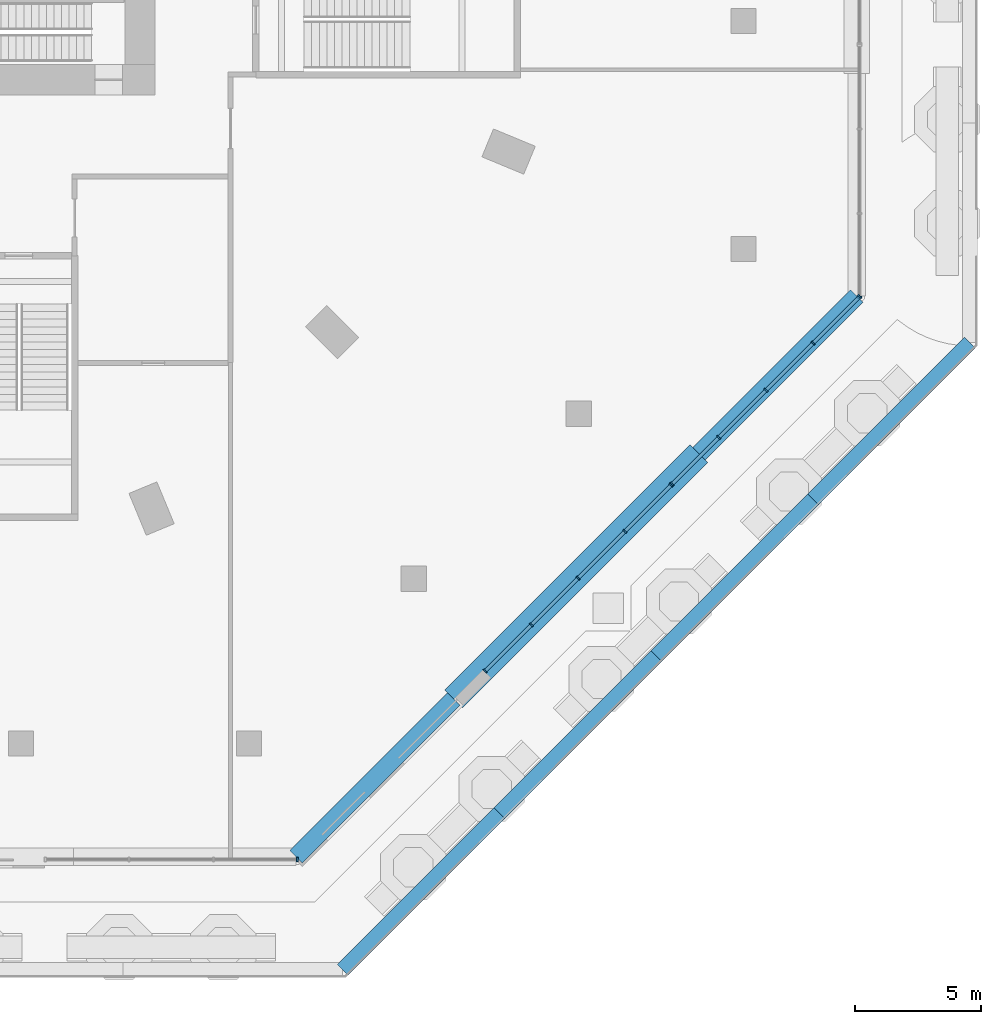
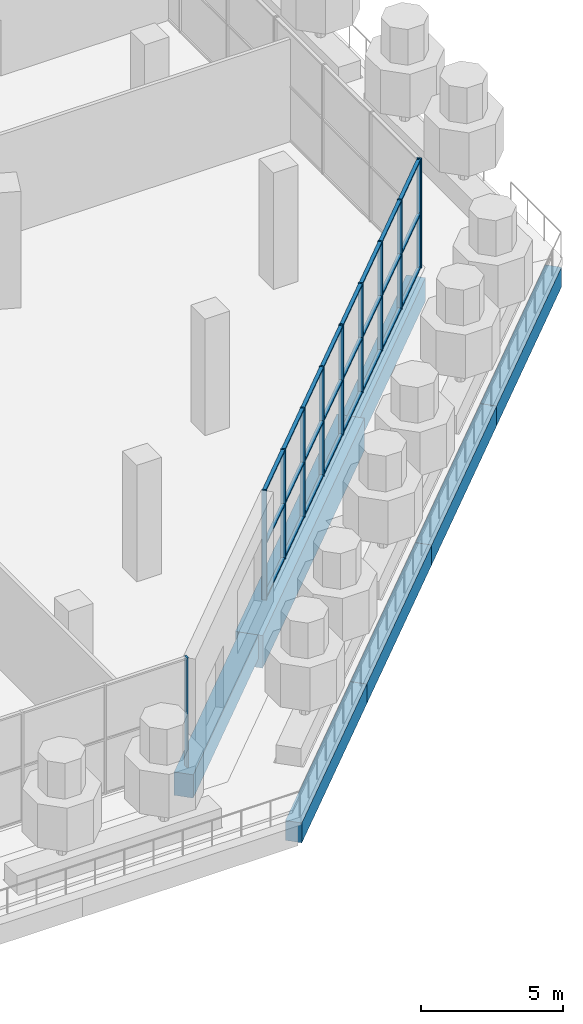
# One storey, part 9 of 32: 36 members, 7 beams, 4 elements without a shape of their own.
"""IFC4 building model written with IfcOpenShell, lengths in metres."""

import ifcopenshell
import ifcopenshell.guid

model = None  # the IFC model being written
_history = None  # IfcOwnerHistory: only IFC2X3 demands one
_inside = {}  # id of a spatial element -> (the spatial element, [elements in it])
_under = {}  # id of a project, library or spatial element -> (it, [spatial elements below it])
_declared = {}  # id of a project -> (the project, [libraries it declares])
_typed = {}  # id of a type object -> (the type object, [elements of that type])
_made_of = {}  # id of a material, layer set ... -> (it, [elements and type objects made of it])


def new_model(schema):
    """Start an empty IFC model of exactly this schema.

    Asked for "IFC4X3", IfcOpenShell would pick the latest addendum, in which some entities
    have other attributes; the version numbers below select the first issue.
    IFC2X3 requires an IfcOwnerHistory on every rooted entity: one is made here for all.
    """
    global model, _history
    if schema == "IFC4X3":
        model = ifcopenshell.file(schema_version=(4, 3, 0, 0))
    else:
        model = ifcopenshell.file(schema=schema)
    _inside.clear()
    _under.clear()
    _declared.clear()
    _typed.clear()
    _made_of.clear()
    _history = None
    if model.schema == "IFC2X3":
        org = make("IfcOrganization", Name="unknown")
        user = make(
            "IfcPersonAndOrganization",
            ThePerson=make("IfcPerson", FamilyName="unknown"),
            TheOrganization=org,
        )
        app = make(
            "IfcApplication",
            ApplicationDeveloper=org,
            Version="unknown",
            ApplicationFullName="unknown",
            ApplicationIdentifier="unknown",
        )
        _history = make(
            "IfcOwnerHistory",
            OwningUser=user,
            OwningApplication=app,
            ChangeAction="ADDED",
            CreationDate=0,
        )
    return model


def make(cls, **values):
    """One entity of the class cls with the attributes given. An attribute that is None is left unset."""
    return model.create_entity(
        cls, **{name: value for name, value in values.items() if value is not None}
    )


def rooted(cls, **values):
    """An entity with a GlobalId (a new one), such as an element, a storey or a relation."""
    return make(cls, GlobalId=ifcopenshell.guid.new(), OwnerHistory=_history, **values)


def si_unit(unit_type, name, prefix=None):
    """IfcSIUnit, for example si_unit("LENGTHUNIT", "METRE", prefix="MILLI")."""
    return make("IfcSIUnit", UnitType=unit_type, Prefix=prefix, Name=name)


def assignment(units):
    """IfcUnitAssignment: the units of a project."""
    return None if units is None else make("IfcUnitAssignment", Units=units)


def point(xyz):
    """IfcCartesianPoint."""
    return None if xyz is None else make("IfcCartesianPoint", Coordinates=xyz)


def direction(xyz):
    """IfcDirection."""
    return None if xyz is None else make("IfcDirection", DirectionRatios=xyz)


def frame(location, z_axis=None, x_axis=None):
    """IfcAxis2Placement3D, a coordinate frame: its origin and axes. An axis left out is left unset."""
    return make(
        "IfcAxis2Placement3D",
        Location=point(location),
        Axis=direction(z_axis),
        RefDirection=direction(x_axis),
    )


def frame_2d(location, x_axis=None):
    """IfcAxis2Placement2D, a coordinate frame in the plane: its origin and x axis."""
    return make(
        "IfcAxis2Placement2D", Location=point(location), RefDirection=direction(x_axis)
    )


def origin():
    """The frame at (0, 0, 0) with its axes left unset."""
    return frame((0.0, 0.0, 0.0))


def origin_2d():
    """The frame at (0, 0) in the plane with its x axis left unset."""
    return frame_2d((0.0, 0.0))


def place(relative_to, where):
    """IfcLocalPlacement: puts the frame where relative to a parent placement (None: the world)."""
    return make(
        "IfcLocalPlacement", PlacementRelTo=relative_to, RelativePlacement=where
    )


def context(
    kind, dimensions, precision=None, world=None, true_north=None, identifier=None
):
    """IfcGeometricRepresentationContext, for example the 3D "Model" context."""
    return make(
        "IfcGeometricRepresentationContext",
        ContextIdentifier=identifier,
        ContextType=kind,
        CoordinateSpaceDimension=dimensions,
        Precision=precision,
        WorldCoordinateSystem=world,
        TrueNorth=true_north,
    )


def subcontext(parent, identifier, kind, view, scale=None):
    """IfcGeometricRepresentationSubContext, for example "Body" below "Model"."""
    return make(
        "IfcGeometricRepresentationSubContext",
        ContextIdentifier=identifier,
        ContextType=kind,
        ParentContext=parent,
        TargetScale=scale,
        TargetView=view,
    )


def project(units=None, contexts=None):
    """IfcProject with its units and contexts."""
    return rooted(
        "IfcProject",
        Name="project",
        RepresentationContexts=contexts,
        UnitsInContext=assignment(units),
    )


def spatial(cls, under=None, at=None, **own):
    """A site, building, storey or space (cls), placed at a placement, below another one or the project."""
    s = rooted(cls, ObjectPlacement=at, **own)
    if under is not None:
        _under.setdefault(under.id(), (under, []))[1].append(s)
    return s


def profile(cls, at=None, kind="AREA", **sizes):
    """A parametric profile (cls). Its sizes go by their IFC names, for example OverallWidth=200.0."""
    return make(cls, ProfileType=kind, Position=at, **sizes)


def rectangle(**sizes):
    """IfcRectangleProfileDef."""
    return profile("IfcRectangleProfileDef", **sizes)


def extrude(swept, where, along, depth):
    """IfcExtrudedAreaSolid: the profile swept, set in the frame where, extruded along a direction by depth."""
    return make(
        "IfcExtrudedAreaSolid",
        SweptArea=swept,
        Position=where,
        ExtrudedDirection=direction(along),
        Depth=depth,
    )


def shape(context_of_items, identifier, shape_type, items):
    """IfcShapeRepresentation: the items that make up one representation, for example the "Body"."""
    return make(
        "IfcShapeRepresentation",
        ContextOfItems=context_of_items,
        RepresentationIdentifier=identifier,
        RepresentationType=shape_type,
        Items=items,
    )


def material(Name=None, Category=None):
    """IfcMaterial."""
    return make("IfcMaterial", Name=Name, Category=Category)


def material_profile(
    of_material, cross_section, Name=None, Category=None, Priority=None
):
    """IfcMaterialProfile: a cross section and its material."""
    return make(
        "IfcMaterialProfile",
        Name=Name,
        Material=of_material,
        Profile=cross_section,
        Priority=Priority,
        Category=Category,
    )


def profile_set(profiles, Name=None, composite=None):
    """IfcMaterialProfileSet."""
    return make(
        "IfcMaterialProfileSet",
        Name=Name,
        MaterialProfiles=profiles,
        CompositeProfile=composite,
    )


def made_of(thing, what):
    """Note that an element or type object is made of a material, layer set ...; save() writes the relation."""
    if what is not None:
        _made_of.setdefault(what.id(), (what, []))[1].append(thing)
    return thing


def type_object(cls, material=None, **own):
    """A type object (cls), such as IfcWallType, which elements share."""
    return made_of(rooted(cls, **own), material)


def element(
    cls,
    number,
    at=None,
    inside=None,
    cuts=None,
    type_object=None,
    material=None,
    context=None,
    identifier="Body",
    shape_type=None,
    held_by="IfcProductDefinitionShape",
    body=None,
    shapes=None,
    **own,
):
    """One element of the class cls, such as IfcWall. Its Tag is "e" and its number.

    at: its placement. inside: the storey or other place that contains it. cuts: it is an
    opening in that element (IfcRelVoidsElement). A single representation is given by context,
    identifier, shape_type and body (its items); several are given by shapes. held_by: the class
    of the entity that holds the representations. save() writes the other relations.
    """
    e = rooted(cls, Tag="e%d" % number, ObjectPlacement=at, **own)
    if body is not None:
        shapes = [shape(context, identifier, shape_type, body)]
    if shapes is not None:
        e.Representation = make(held_by, Representations=shapes)
    if inside is not None:
        _inside.setdefault(inside.id(), (inside, []))[1].append(e)
    if cuts is not None:
        rooted(
            "IfcRelVoidsElement", RelatingBuildingElement=cuts, RelatedOpeningElement=e
        )
    if type_object is not None:
        _typed.setdefault(type_object.id(), (type_object, []))[1].append(e)
    return made_of(e, material)


def aggregate(whole, parts):
    """IfcRelAggregates: a whole, such as a stair, and the parts it consists of."""
    return rooted("IfcRelAggregates", RelatingObject=whole, RelatedObjects=parts)


def save(model, path):
    """Write the relations noted so far, then the file.

    IfcRelAggregates (storeys below a building ...), IfcRelContainedInSpatialStructure (elements
    in a storey), IfcRelDefinesByType, IfcRelAssociatesMaterial and IfcRelDeclares: one each for
    every whole, place, type object, material and project.
    """
    for whole, parts in _under.values():
        aggregate(whole, parts)
    for where, things in _inside.values():
        rooted(
            "IfcRelContainedInSpatialStructure",
            RelatedElements=things,
            RelatingStructure=where,
        )
    for kind, things in _typed.values():
        rooted("IfcRelDefinesByType", RelatedObjects=things, RelatingType=kind)
    for what, things in _made_of.values():
        rooted("IfcRelAssociatesMaterial", RelatedObjects=things, RelatingMaterial=what)
    for by, libraries in _declared.values():
        rooted("IfcRelDeclares", RelatingContext=by, RelatedDefinitions=libraries)
    model.write(path)


model = new_model("IFC4")

# Units and contexts
model_context = context("Model", 3, precision=1e-05, world=origin(), true_north=direction((0.0, 1.0)))
body_context = subcontext(model_context, "Body", "Model", "MODEL_VIEW")
ifc_project = project(units=[si_unit("LENGTHUNIT", "METRE"), si_unit("AREAUNIT", "SQUARE_METRE"), si_unit("VOLUMEUNIT", "CUBIC_METRE"), si_unit("PLANEANGLEUNIT", "RADIAN"), si_unit("MASSUNIT", "GRAM", prefix="KILO")], contexts=[model_context])

# Site, building, storey
site_placement = place(None, origin())
site = spatial("IfcSite", under=ifc_project, at=site_placement, CompositionType="ELEMENT")
building_placement = place(site_placement, origin())
building = spatial("IfcBuilding", under=site, at=building_placement, Name="Msitu Wima Residences", CompositionType="ELEMENT")
storey_placement = place(building_placement, frame((0.0, 0.0, 6.0)))
storey = spatial("IfcBuildingStorey", under=building, at=storey_placement, Name="L01", CompositionType="ELEMENT", Elevation=6.0)

# Curtain wall, member
ifc_material_1 = material(Name="Anodised aluminium, bronze finish, clear low-emissivity double glazing", Category="aluminium")
curtain_wall_type = type_object("IfcCurtainWallType", Name="Curtain wall CW5 retail shopfront", PredefinedType="NOTDEFINED", material=ifc_material_1)
curtain_wall_1_placement = place(storey_placement, origin())
curtain_wall_1 = element("IfcCurtainWall", 1, at=curtain_wall_1_placement, inside=storey, type_object=curtain_wall_type, Name="Curtain wall CW5 L01 E0", PredefinedType="NOTDEFINED")
ifc_material_2 = material(Name="Anodised aluminium, bronze finish", Category="aluminium")
ifc_material_profile_1 = material_profile(ifc_material_2, rectangle(XDim=0.179931640625, YDim=0.06494140625, at=origin_2d()), Name="Mullion 65x180")
ifc_profile_set_1 = profile_set([ifc_material_profile_1], Name="Anodised aluminium, bronze finish")
member_type_1 = type_object("IfcMemberType", Name="Mullion CW5 65x180", PredefinedType="MULLION", material=ifc_profile_set_1)
member_1_placement = place(storey_placement, frame((42.39990234375, -20.052490234375, 0.0), z_axis=(0.0, 0.0, 1.0), x_axis=(-1.0, 0.0, 0.0)))
member_1 = element("IfcMember", 2, at=member_1_placement, type_object=member_type_1, Name="CW5 mullion 1", PredefinedType="MULLION", context=body_context, shape_type="SweptSolid", body=[
    extrude(rectangle(XDim=0.179931640625, YDim=0.06494140625, at=origin_2d()), origin(), (0.0, 0.0, 1.0), 4.699951171875),
])
aggregate(curtain_wall_1, [member_1])

curtain_wall_2_placement = place(storey_placement, origin())
curtain_wall_2 = element("IfcCurtainWall", 3, at=curtain_wall_2_placement, inside=storey, type_object=curtain_wall_type, Name="Curtain wall CW5 L01 S3", PredefinedType="NOTDEFINED")
member_2_placement = place(storey_placement, frame((20.052490234375, -42.39990234375, 0.0), z_axis=(0.0, 0.0, 1.0), x_axis=(0.0, 1.0, 0.0)))
member_2 = element("IfcMember", 4, at=member_2_placement, type_object=member_type_1, Name="CW5 mullion 4", PredefinedType="MULLION", context=body_context, shape_type="SweptSolid", body=[
    extrude(rectangle(XDim=0.179931640625, YDim=0.06494140625, at=origin_2d()), origin(), (0.0, 0.0, 1.0), 4.699951171875),
])
aggregate(curtain_wall_2, [member_2])

# Curtain wall, members
curtain_wall_3_placement = place(storey_placement, origin())
curtain_wall_3 = element("IfcCurtainWall", 5, at=curtain_wall_3_placement, inside=storey, type_object=curtain_wall_type, Name="Curtain wall CW5 L01 SE1", PredefinedType="NOTDEFINED")
member_3_placement = place(storey_placement, frame((27.521728515625, -34.91162109375, 0.0), z_axis=(0.0, 0.0, 1.0), x_axis=(-0.707106781187, 0.707106781187, 0.0)))
member_3 = element("IfcMember", 6, at=member_3_placement, type_object=member_type_1, Name="CW5 mullion 1", PredefinedType="MULLION", context=body_context, shape_type="SweptSolid", body=[
    extrude(rectangle(XDim=0.179931640625, YDim=0.06494140625, at=origin_2d()), origin(), (0.0, 0.0, 1.0), 4.699951171875),
])
member_4_placement = place(storey_placement, frame((29.357666015625, -33.07568359375, 0.0), z_axis=(0.0, 0.0, 1.0), x_axis=(-0.707106781187, 0.707106781187, 0.0)))
member_4 = element("IfcMember", 7, at=member_4_placement, type_object=member_type_1, Name="CW5 mullion 2", PredefinedType="MULLION", context=body_context, shape_type="SweptSolid", body=[
    extrude(rectangle(XDim=0.179931640625, YDim=0.06494140625, at=origin_2d()), origin(), (0.0, 0.0, 1.0), 4.699951171875),
])
member_5_placement = place(storey_placement, frame((31.216552734375, -31.216552734375, 0.0), z_axis=(0.0, 0.0, 1.0), x_axis=(-0.707106781187, 0.707106781187, 0.0)))
member_5 = element("IfcMember", 8, at=member_5_placement, type_object=member_type_1, Name="CW5 mullion 3", PredefinedType="MULLION", context=body_context, shape_type="SweptSolid", body=[
    extrude(rectangle(XDim=0.179931640625, YDim=0.06494140625, at=origin_2d()), origin(), (0.0, 0.0, 1.0), 4.699951171875),
])
member_6_placement = place(storey_placement, frame((33.07568359375, -29.357666015625, 0.0), z_axis=(0.0, 0.0, 1.0), x_axis=(-0.707106781187, 0.707106781187, 0.0)))
member_6 = element("IfcMember", 9, at=member_6_placement, type_object=member_type_1, Name="CW5 mullion 4", PredefinedType="MULLION", context=body_context, shape_type="SweptSolid", body=[
    extrude(rectangle(XDim=0.179931640625, YDim=0.06494140625, at=origin_2d()), origin(), (0.0, 0.0, 1.0), 4.699951171875),
])
member_7_placement = place(storey_placement, frame((34.91162109375, -27.521728515625, 0.0), z_axis=(0.0, 0.0, 1.0), x_axis=(-0.707106781187, 0.707106781187, 0.0)))
member_7 = element("IfcMember", 10, at=member_7_placement, type_object=member_type_1, Name="CW5 mullion 5", PredefinedType="MULLION", context=body_context, shape_type="SweptSolid", body=[
    extrude(rectangle(XDim=0.179931640625, YDim=0.06494140625, at=origin_2d()), origin(), (0.0, 0.0, 1.0), 4.699951171875),
])

curtain_wall_4_placement = place(storey_placement, origin())
curtain_wall_4 = element("IfcCurtainWall", 11, at=curtain_wall_4_placement, inside=storey, type_object=curtain_wall_type, Name="Curtain wall CW5 L01 SE2", PredefinedType="NOTDEFINED")
member_8_placement = place(storey_placement, frame((34.957763671875, -27.4755859375, 0.0), z_axis=(0.0, 0.0, 1.0), x_axis=(-0.707106781187, 0.707106781187, 0.0)))
member_8 = element("IfcMember", 12, at=member_8_placement, type_object=member_type_1, Name="CW5 mullion 1", PredefinedType="MULLION", context=body_context, shape_type="SweptSolid", body=[
    extrude(rectangle(XDim=0.179931640625, YDim=0.06494140625, at=origin_2d()), origin(), (0.0, 0.0, 1.0), 4.699951171875),
])
member_9_placement = place(storey_placement, frame((36.81005859375, -25.623046875, 0.0), z_axis=(0.0, 0.0, 1.0), x_axis=(-0.707106781187, 0.707106781187, 0.0)))
member_9 = element("IfcMember", 13, at=member_9_placement, type_object=member_type_1, Name="CW5 mullion 2", PredefinedType="MULLION", context=body_context, shape_type="SweptSolid", body=[
    extrude(rectangle(XDim=0.179931640625, YDim=0.06494140625, at=origin_2d()), origin(), (0.0, 0.0, 1.0), 4.699951171875),
])
member_10_placement = place(storey_placement, frame((38.685546875, -23.74755859375, 0.0), z_axis=(0.0, 0.0, 1.0), x_axis=(-0.707106781187, 0.707106781187, 0.0)))
member_10 = element("IfcMember", 14, at=member_10_placement, type_object=member_type_1, Name="CW5 mullion 3", PredefinedType="MULLION", context=body_context, shape_type="SweptSolid", body=[
    extrude(rectangle(XDim=0.179931640625, YDim=0.06494140625, at=origin_2d()), origin(), (0.0, 0.0, 1.0), 4.699951171875),
])
member_11_placement = place(storey_placement, frame((40.56103515625, -21.8720703125, 0.0), z_axis=(0.0, 0.0, 1.0), x_axis=(-0.707106781187, 0.707106781187, 0.0)))
member_11 = element("IfcMember", 15, at=member_11_placement, type_object=member_type_1, Name="CW5 mullion 4", PredefinedType="MULLION", context=body_context, shape_type="SweptSolid", body=[
    extrude(rectangle(XDim=0.179931640625, YDim=0.06494140625, at=origin_2d()), origin(), (0.0, 0.0, 1.0), 4.699951171875),
])
member_12_placement = place(storey_placement, frame((42.41357421875, -20.019775390625, 0.0), z_axis=(0.0, 0.0, 1.0), x_axis=(-0.707106781187, 0.707106781187, 0.0)))
member_12 = element("IfcMember", 16, at=member_12_placement, type_object=member_type_1, Name="CW5 mullion 5", PredefinedType="MULLION", context=body_context, shape_type="SweptSolid", body=[
    extrude(rectangle(XDim=0.179931640625, YDim=0.06494140625, at=origin_2d()), origin(), (0.0, 0.0, 1.0), 4.699951171875),
])

# Beams
ifc_material_3 = material(Name="Concrete C60/75", Category="concrete")
ifc_material_profile_2 = material_profile(ifc_material_3, rectangle(XDim=1.0, YDim=1.39990234375, at=origin_2d()), Name="RC 1000x1400")
ifc_profile_set_2 = profile_set([ifc_material_profile_2], Name="Concrete C60/75")
beam_type_1 = type_object("IfcBeamType", Name="Terrace beam RC 1000x1400 Concrete C60/75", PredefinedType="BEAM", material=ifc_profile_set_2)
beam_placement = place(storey_placement, frame((26.267822265625, -36.02392578125, -1.050048828125), z_axis=(0.707106781187, 0.707106781187, 0.0), x_axis=(-0.707106781187, 0.707106781187, 0.0)))
element("IfcBeam", 17, at=beam_placement, inside=storey, type_object=beam_type_1, Name="Terrace upstand-line beam L01 T10", PredefinedType="BEAM", context=body_context, shape_type="SweptSolid", body=[
    extrude(rectangle(XDim=1.0, YDim=1.39990234375, at=origin_2d()), origin(), (0.0, 0.0, 1.0), 13.797119140625),
])
ifc_material_profile_3 = material_profile(ifc_material_3, rectangle(XDim=0.60009765625, YDim=0.85009765625, at=origin_2d()), Name="RC 600x850")
ifc_profile_set_3 = profile_set([ifc_material_profile_3], Name="Concrete C60/75")
beam_type_2 = type_object("IfcBeamType", Name="Terrace beam RC 600x850 Concrete C60/75", PredefinedType="BEAM", material=ifc_profile_set_3)
for number, where, z_axis, x_axis, name in (
    (18, (21.85595703125, -46.800048828125, -0.77490234375), (0.707092939282, 0.70712062282, 0.0), (-0.70712062282, 0.707092939282, 0.0), "Terrace edge beam L00 C-SE0"),
    (19, (28.091796875, -40.56396484375, -0.77490234375), (0.707106781187, 0.707106781187, 0.0), (-0.707106781187, 0.707106781187, 0.0), "Terrace edge beam L00 C-SE1"),
    (20, (34.327880859375, -34.327880859375, -0.77490234375), (0.707106781187, 0.707106781187, 0.0), (-0.707106781187, 0.707106781187, 0.0), "Terrace edge beam L00 C-SE2"),
    (21, (40.56396484375, -28.091796875, -0.77490234375), (0.70712062282, 0.707092939282, 0.0), (-0.707092939282, 0.70712062282, 0.0), "Terrace edge beam L00 C-SE3"),
):
    element("IfcBeam", number, at=place(storey_placement, frame(where, z_axis=z_axis, x_axis=x_axis)), inside=storey, type_object=beam_type_2, Name=name, PredefinedType="BEAM", context=body_context, shape_type="SweptSolid", body=[
        extrude(rectangle(XDim=0.60009765625, YDim=0.85009765625, at=origin_2d()), origin(), (0.0, 0.0, 1.0), 8.819091796875),
    ])
ifc_material_profile_4 = material_profile(ifc_material_3, rectangle(XDim=0.699951171875, YDim=1.0, at=origin_2d()), Name="RC 700x1000")
ifc_profile_set_4 = profile_set([ifc_material_profile_4], Name="Concrete C60/75")
beam_type_3 = type_object("IfcBeamType", Name="Terrace beam RC 700x1000 Concrete C60/75", PredefinedType="BEAM", material=ifc_profile_set_4)
for number, where, z_axis, x_axis, name in (
    (22, (19.991943359375, -42.300048828125, -0.85009765625), (0.70709302759, 0.707120534516, 0.0), (-0.707120534516, 0.70709302759, 0.0), "Terrace upstand-line beam L01 T9"),
    (23, (36.02392578125, -26.267822265625, -0.85009765625), (0.707120534516, 0.70709302759, 0.0), (-0.70709302759, 0.707120534516, 0.0), "Terrace upstand-line beam L01 T11"),
):
    element("IfcBeam", number, at=place(storey_placement, frame(where, z_axis=z_axis, x_axis=x_axis)), inside=storey, type_object=beam_type_3, Name=name, PredefinedType="BEAM", context=body_context, shape_type="SweptSolid", body=[
        extrude(rectangle(XDim=0.699951171875, YDim=1.0, at=origin_2d()), origin(), (0.0, 0.0, 1.0), 8.87548828125),
    ])

# Member
ifc_material_profile_5 = material_profile(ifc_material_2, rectangle(XDim=0.139892578125, YDim=0.06494140625, at=origin_2d()), Name="Transom 65x140")
ifc_profile_set_5 = profile_set([ifc_material_profile_5], Name="Anodised aluminium, bronze finish")
member_type_2 = type_object("IfcMemberType", Name="Transom CW5 65x140", PredefinedType="USERDEFINED", material=ifc_profile_set_5)
member_13_placement = place(storey_placement, frame((27.544677734375, -34.888671875, 0.032470703125), z_axis=(0.707106781187, 0.707106781187, 0.0), x_axis=(-0.707106781187, 0.707106781187, 0.0)))
member_13 = element("IfcMember", 24, at=member_13_placement, type_object=member_type_2, Name="CW5 transom 1.1", ObjectType="TRANSOM", PredefinedType="USERDEFINED", context=body_context, shape_type="SweptSolid", body=[
    extrude(rectangle(XDim=0.139892578125, YDim=0.06494140625, at=origin_2d()), origin(), (0.0, 0.0, 1.0), 2.531494140625),
])

member_14_placement = place(storey_placement, frame((27.544677734375, -34.888671875, 2.35009765625), z_axis=(0.707106781187, 0.707106781187, 0.0), x_axis=(-0.707106781187, 0.707106781187, 0.0)))
member_14 = element("IfcMember", 25, at=member_14_placement, type_object=member_type_2, Name="CW5 transom 1.2", ObjectType="TRANSOM", PredefinedType="USERDEFINED", context=body_context, shape_type="SweptSolid", body=[
    extrude(rectangle(XDim=0.139892578125, YDim=0.06494140625, at=origin_2d()), origin(), (0.0, 0.0, 1.0), 2.531494140625),
])

member_15_placement = place(storey_placement, frame((27.544677734375, -34.888671875, 4.66748046875), z_axis=(0.707106781187, 0.707106781187, 0.0), x_axis=(-0.707106781187, 0.707106781187, 0.0)))
member_15 = element("IfcMember", 26, at=member_15_placement, type_object=member_type_2, Name="CW5 transom 1.3", ObjectType="TRANSOM", PredefinedType="USERDEFINED", context=body_context, shape_type="SweptSolid", body=[
    extrude(rectangle(XDim=0.139892578125, YDim=0.06494140625, at=origin_2d()), origin(), (0.0, 0.0, 1.0), 2.531494140625),
])

member_16_placement = place(storey_placement, frame((29.380615234375, -33.052734375, 0.032470703125), z_axis=(0.707106781187, 0.707106781187, 0.0), x_axis=(-0.707106781187, 0.707106781187, 0.0)))
member_16 = element("IfcMember", 27, at=member_16_placement, type_object=member_type_2, Name="CW5 transom 2.1", ObjectType="TRANSOM", PredefinedType="USERDEFINED", context=body_context, shape_type="SweptSolid", body=[
    extrude(rectangle(XDim=0.139892578125, YDim=0.06494140625, at=origin_2d()), origin(), (0.0, 0.0, 1.0), 2.56396484375),
])

member_17_placement = place(storey_placement, frame((29.380615234375, -33.052734375, 2.35009765625), z_axis=(0.707106781187, 0.707106781187, 0.0), x_axis=(-0.707106781187, 0.707106781187, 0.0)))
member_17 = element("IfcMember", 28, at=member_17_placement, type_object=member_type_2, Name="CW5 transom 2.2", ObjectType="TRANSOM", PredefinedType="USERDEFINED", context=body_context, shape_type="SweptSolid", body=[
    extrude(rectangle(XDim=0.139892578125, YDim=0.06494140625, at=origin_2d()), origin(), (0.0, 0.0, 1.0), 2.56396484375),
])

member_18_placement = place(storey_placement, frame((29.380615234375, -33.052734375, 4.66748046875), z_axis=(0.707106781187, 0.707106781187, 0.0), x_axis=(-0.707106781187, 0.707106781187, 0.0)))
member_18 = element("IfcMember", 29, at=member_18_placement, type_object=member_type_2, Name="CW5 transom 2.3", ObjectType="TRANSOM", PredefinedType="USERDEFINED", context=body_context, shape_type="SweptSolid", body=[
    extrude(rectangle(XDim=0.139892578125, YDim=0.06494140625, at=origin_2d()), origin(), (0.0, 0.0, 1.0), 2.56396484375),
])

member_19_placement = place(storey_placement, frame((31.23974609375, -31.193603515625, 0.032470703125), z_axis=(0.707106781187, 0.707106781187, 0.0), x_axis=(-0.707106781187, 0.707106781187, 0.0)))
member_19 = element("IfcMember", 30, at=member_19_placement, type_object=member_type_2, Name="CW5 transom 3.1", ObjectType="TRANSOM", PredefinedType="USERDEFINED", context=body_context, shape_type="SweptSolid", body=[
    extrude(rectangle(XDim=0.139892578125, YDim=0.06494140625, at=origin_2d()), origin(), (0.0, 0.0, 1.0), 2.56396484375),
])

member_20_placement = place(storey_placement, frame((31.23974609375, -31.193603515625, 2.35009765625), z_axis=(0.707106781187, 0.707106781187, 0.0), x_axis=(-0.707106781187, 0.707106781187, 0.0)))
member_20 = element("IfcMember", 31, at=member_20_placement, type_object=member_type_2, Name="CW5 transom 3.2", ObjectType="TRANSOM", PredefinedType="USERDEFINED", context=body_context, shape_type="SweptSolid", body=[
    extrude(rectangle(XDim=0.139892578125, YDim=0.06494140625, at=origin_2d()), origin(), (0.0, 0.0, 1.0), 2.56396484375),
])

member_21_placement = place(storey_placement, frame((31.23974609375, -31.193603515625, 4.66748046875), z_axis=(0.707106781187, 0.707106781187, 0.0), x_axis=(-0.707106781187, 0.707106781187, 0.0)))
member_21 = element("IfcMember", 32, at=member_21_placement, type_object=member_type_2, Name="CW5 transom 3.3", ObjectType="TRANSOM", PredefinedType="USERDEFINED", context=body_context, shape_type="SweptSolid", body=[
    extrude(rectangle(XDim=0.139892578125, YDim=0.06494140625, at=origin_2d()), origin(), (0.0, 0.0, 1.0), 2.56396484375),
])

member_22_placement = place(storey_placement, frame((33.0986328125, -29.334716796875, 0.032470703125), z_axis=(0.707106781187, 0.707106781187, 0.0), x_axis=(-0.707106781187, 0.707106781187, 0.0)))
member_22 = element("IfcMember", 33, at=member_22_placement, type_object=member_type_2, Name="CW5 transom 4.1", ObjectType="TRANSOM", PredefinedType="USERDEFINED", context=body_context, shape_type="SweptSolid", body=[
    extrude(rectangle(XDim=0.139892578125, YDim=0.06494140625, at=origin_2d()), origin(), (0.0, 0.0, 1.0), 2.531494140625),
])

member_23_placement = place(storey_placement, frame((33.0986328125, -29.334716796875, 2.35009765625), z_axis=(0.707106781187, 0.707106781187, 0.0), x_axis=(-0.707106781187, 0.707106781187, 0.0)))
member_23 = element("IfcMember", 34, at=member_23_placement, type_object=member_type_2, Name="CW5 transom 4.2", ObjectType="TRANSOM", PredefinedType="USERDEFINED", context=body_context, shape_type="SweptSolid", body=[
    extrude(rectangle(XDim=0.139892578125, YDim=0.06494140625, at=origin_2d()), origin(), (0.0, 0.0, 1.0), 2.531494140625),
])

member_24_placement = place(storey_placement, frame((33.0986328125, -29.334716796875, 4.66748046875), z_axis=(0.707106781187, 0.707106781187, 0.0), x_axis=(-0.707106781187, 0.707106781187, 0.0)))
member_24 = element("IfcMember", 35, at=member_24_placement, type_object=member_type_2, Name="CW5 transom 4.3", ObjectType="TRANSOM", PredefinedType="USERDEFINED", context=body_context, shape_type="SweptSolid", body=[
    extrude(rectangle(XDim=0.139892578125, YDim=0.06494140625, at=origin_2d()), origin(), (0.0, 0.0, 1.0), 2.531494140625),
])

aggregate(curtain_wall_3, [member_3, member_4, member_5, member_6, member_7, member_13, member_14, member_15, member_16, member_17, member_18, member_19, member_20, member_21, member_22, member_23, member_24])

member_25_placement = place(storey_placement, frame((34.980712890625, -27.45263671875, 0.032470703125), z_axis=(0.707106781187, 0.707106781187, 0.0), x_axis=(-0.707106781187, 0.707106781187, 0.0)))
member_25 = element("IfcMember", 36, at=member_25_placement, type_object=member_type_2, Name="CW5 transom 1.1", ObjectType="TRANSOM", PredefinedType="USERDEFINED", context=body_context, shape_type="SweptSolid", body=[
    extrude(rectangle(XDim=0.139892578125, YDim=0.06494140625, at=origin_2d()), origin(), (0.0, 0.0, 1.0), 2.5546875),
])

member_26_placement = place(storey_placement, frame((34.980712890625, -27.45263671875, 2.35009765625), z_axis=(0.707106781187, 0.707106781187, 0.0), x_axis=(-0.707106781187, 0.707106781187, 0.0)))
member_26 = element("IfcMember", 37, at=member_26_placement, type_object=member_type_2, Name="CW5 transom 1.2", ObjectType="TRANSOM", PredefinedType="USERDEFINED", context=body_context, shape_type="SweptSolid", body=[
    extrude(rectangle(XDim=0.139892578125, YDim=0.06494140625, at=origin_2d()), origin(), (0.0, 0.0, 1.0), 2.5546875),
])

member_27_placement = place(storey_placement, frame((34.980712890625, -27.45263671875, 4.66748046875), z_axis=(0.707106781187, 0.707106781187, 0.0), x_axis=(-0.707106781187, 0.707106781187, 0.0)))
member_27 = element("IfcMember", 38, at=member_27_placement, type_object=member_type_2, Name="CW5 transom 1.3", ObjectType="TRANSOM", PredefinedType="USERDEFINED", context=body_context, shape_type="SweptSolid", body=[
    extrude(rectangle(XDim=0.139892578125, YDim=0.06494140625, at=origin_2d()), origin(), (0.0, 0.0, 1.0), 2.5546875),
])

member_28_placement = place(storey_placement, frame((36.833251953125, -25.60009765625, 0.032470703125), z_axis=(0.707106781187, 0.707106781187, 0.0), x_axis=(-0.707106781187, 0.707106781187, 0.0)))
member_28 = element("IfcMember", 39, at=member_28_placement, type_object=member_type_2, Name="CW5 transom 2.1", ObjectType="TRANSOM", PredefinedType="USERDEFINED", context=body_context, shape_type="SweptSolid", body=[
    extrude(rectangle(XDim=0.139892578125, YDim=0.06494140625, at=origin_2d()), origin(), (0.0, 0.0, 1.0), 2.587158203125),
])

member_29_placement = place(storey_placement, frame((36.833251953125, -25.60009765625, 2.35009765625), z_axis=(0.707106781187, 0.707106781187, 0.0), x_axis=(-0.707106781187, 0.707106781187, 0.0)))
member_29 = element("IfcMember", 40, at=member_29_placement, type_object=member_type_2, Name="CW5 transom 2.2", ObjectType="TRANSOM", PredefinedType="USERDEFINED", context=body_context, shape_type="SweptSolid", body=[
    extrude(rectangle(XDim=0.139892578125, YDim=0.06494140625, at=origin_2d()), origin(), (0.0, 0.0, 1.0), 2.587158203125),
])

member_30_placement = place(storey_placement, frame((36.833251953125, -25.60009765625, 4.66748046875), z_axis=(0.707106781187, 0.707106781187, 0.0), x_axis=(-0.707106781187, 0.707106781187, 0.0)))
member_30 = element("IfcMember", 41, at=member_30_placement, type_object=member_type_2, Name="CW5 transom 2.3", ObjectType="TRANSOM", PredefinedType="USERDEFINED", context=body_context, shape_type="SweptSolid", body=[
    extrude(rectangle(XDim=0.139892578125, YDim=0.06494140625, at=origin_2d()), origin(), (0.0, 0.0, 1.0), 2.587158203125),
])

member_31_placement = place(storey_placement, frame((38.708740234375, -23.724609375, 0.032470703125), z_axis=(0.707106781187, 0.707106781187, 0.0), x_axis=(-0.707106781187, 0.707106781187, 0.0)))
member_31 = element("IfcMember", 42, at=member_31_placement, type_object=member_type_2, Name="CW5 transom 3.1", ObjectType="TRANSOM", PredefinedType="USERDEFINED", context=body_context, shape_type="SweptSolid", body=[
    extrude(rectangle(XDim=0.139892578125, YDim=0.06494140625, at=origin_2d()), origin(), (0.0, 0.0, 1.0), 2.587158203125),
])

member_32_placement = place(storey_placement, frame((38.708740234375, -23.724609375, 2.35009765625), z_axis=(0.707106781187, 0.707106781187, 0.0), x_axis=(-0.707106781187, 0.707106781187, 0.0)))
member_32 = element("IfcMember", 43, at=member_32_placement, type_object=member_type_2, Name="CW5 transom 3.2", ObjectType="TRANSOM", PredefinedType="USERDEFINED", context=body_context, shape_type="SweptSolid", body=[
    extrude(rectangle(XDim=0.139892578125, YDim=0.06494140625, at=origin_2d()), origin(), (0.0, 0.0, 1.0), 2.587158203125),
])

member_33_placement = place(storey_placement, frame((38.708740234375, -23.724609375, 4.66748046875), z_axis=(0.707106781187, 0.707106781187, 0.0), x_axis=(-0.707106781187, 0.707106781187, 0.0)))
member_33 = element("IfcMember", 44, at=member_33_placement, type_object=member_type_2, Name="CW5 transom 3.3", ObjectType="TRANSOM", PredefinedType="USERDEFINED", context=body_context, shape_type="SweptSolid", body=[
    extrude(rectangle(XDim=0.139892578125, YDim=0.06494140625, at=origin_2d()), origin(), (0.0, 0.0, 1.0), 2.587158203125),
])

member_34_placement = place(storey_placement, frame((40.584228515625, -21.84912109375, 0.032470703125), z_axis=(0.707106781187, 0.707106781187, 0.0), x_axis=(-0.707106781187, 0.707106781187, 0.0)))
member_34 = element("IfcMember", 45, at=member_34_placement, type_object=member_type_2, Name="CW5 transom 4.1", ObjectType="TRANSOM", PredefinedType="USERDEFINED", context=body_context, shape_type="SweptSolid", body=[
    extrude(rectangle(XDim=0.139892578125, YDim=0.06494140625, at=origin_2d()), origin(), (0.0, 0.0, 1.0), 2.5546875),
])

member_35_placement = place(storey_placement, frame((40.584228515625, -21.84912109375, 2.35009765625), z_axis=(0.707106781187, 0.707106781187, 0.0), x_axis=(-0.707106781187, 0.707106781187, 0.0)))
member_35 = element("IfcMember", 46, at=member_35_placement, type_object=member_type_2, Name="CW5 transom 4.2", ObjectType="TRANSOM", PredefinedType="USERDEFINED", context=body_context, shape_type="SweptSolid", body=[
    extrude(rectangle(XDim=0.139892578125, YDim=0.06494140625, at=origin_2d()), origin(), (0.0, 0.0, 1.0), 2.5546875),
])

member_36_placement = place(storey_placement, frame((40.584228515625, -21.84912109375, 4.66748046875), z_axis=(0.707106781187, 0.707106781187, 0.0), x_axis=(-0.707106781187, 0.707106781187, 0.0)))
member_36 = element("IfcMember", 47, at=member_36_placement, type_object=member_type_2, Name="CW5 transom 4.3", ObjectType="TRANSOM", PredefinedType="USERDEFINED", context=body_context, shape_type="SweptSolid", body=[
    extrude(rectangle(XDim=0.139892578125, YDim=0.06494140625, at=origin_2d()), origin(), (0.0, 0.0, 1.0), 2.5546875),
])

aggregate(curtain_wall_4, [member_8, member_9, member_10, member_11, member_12, member_25, member_26, member_27, member_28, member_29, member_30, member_31, member_32, member_33, member_34, member_35, member_36])

save(model, "model.ifc")
